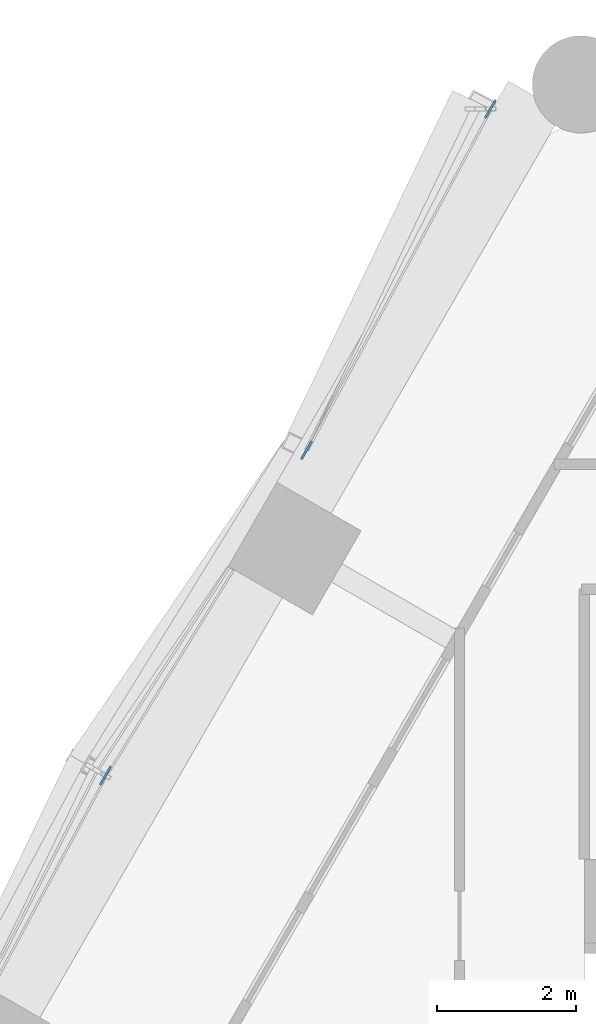
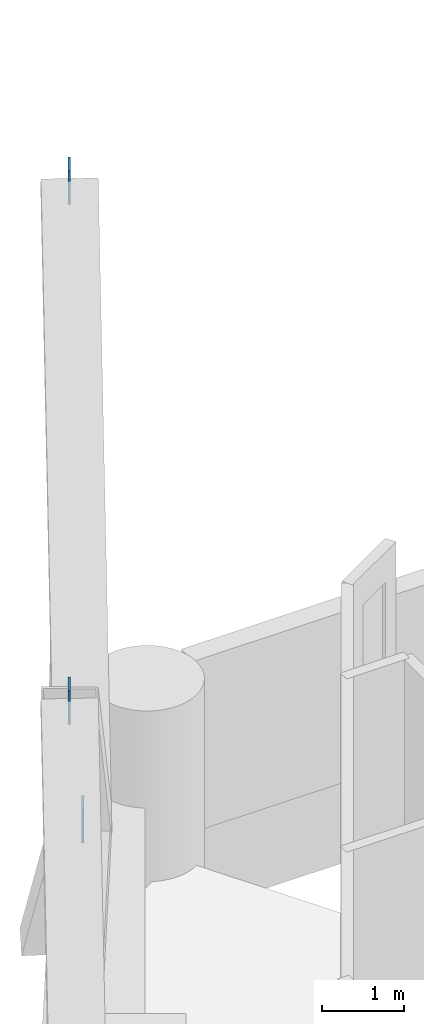
# One storey, part 20 of 22: 3 discrete accessories.
"""IFC4 building model written with IfcOpenShell, lengths in metres."""

from ifc_helpers import new_model, si_unit, direction, frame, origin, origin_2d, place, context, subcontext, project, spatial, rectangle, extrude, material, layer, layer_set, type_object, element, save


model = new_model("IFC4")

# Units and contexts
model_context = context("Model", 3, precision=1e-05, world=origin(), true_north=direction((0.0, 1.0)))
body_context = subcontext(model_context, "Body", "Model", "MODEL_VIEW")
ifc_project = project(units=[si_unit("LENGTHUNIT", "METRE"), si_unit("AREAUNIT", "SQUARE_METRE"), si_unit("VOLUMEUNIT", "CUBIC_METRE"), si_unit("PLANEANGLEUNIT", "RADIAN"), si_unit("MASSUNIT", "GRAM", prefix="KILO")], contexts=[model_context])

# Site, building, storey
site_placement = place(None, origin())
site = spatial("IfcSite", under=ifc_project, at=site_placement, CompositionType="ELEMENT")
building_placement = place(site_placement, origin())
building = spatial("IfcBuilding", under=site, at=building_placement, Name="Ostrander Bayou Hotel Tower", CompositionType="ELEMENT")
storey_placement = place(building_placement, frame((0.0, 0.0, 35.5)))
storey = spatial("IfcBuildingStorey", under=building, at=storey_placement, Name="L08", CompositionType="ELEMENT", Elevation=35.5)

# Discrete accessories
ifc_material = material(Name="Steel ASTM A572 Gr 50", Category="steel")
ifc_layer = layer(ifc_material, 0.030029296875)
ifc_layer_set = layer_set([ifc_layer], Name="GP1 gusset plate 30 mm")
discrete_accessory_type = type_object("IfcDiscreteAccessoryType", Name="GP1 gusset plate 30 mm", PredefinedType="BRACKET", material=ifc_layer_set)
for number, where, z_axis, x_axis, name in (
    (1, (-16.0029296875, 15.6025390625, 4.77490234375), (0.0, 0.0, 1.0), (-0.5, -0.866025403784, 0.0), "GP1 gusset plate lat 66"),
    (2, (-13.3544921875, 20.5185546875, 10.39990234375), (0.0, 0.0, 1.0), (-0.5, -0.866025403784, 0.0), "GP1 gusset plate lat 67"),
    (3, (-18.900634765625, 10.912353515625, 10.39990234375), (0.0, 0.0, 1.0), (-0.5, -0.866025403784, 0.0), "GP1 gusset plate lat 68"),
):
    element("IfcDiscreteAccessory", number, at=place(storey_placement, frame(where, z_axis=z_axis, x_axis=x_axis)), inside=storey, type_object=discrete_accessory_type, Name=name, PredefinedType="BRACKET", context=body_context, shape_type="SweptSolid", body=[
        extrude(rectangle(XDim=0.300048828125, YDim=0.030029296875, at=origin_2d()), origin(), (0.0, 0.0, 1.0), 0.5),
    ])

save(model, "model.ifc")
